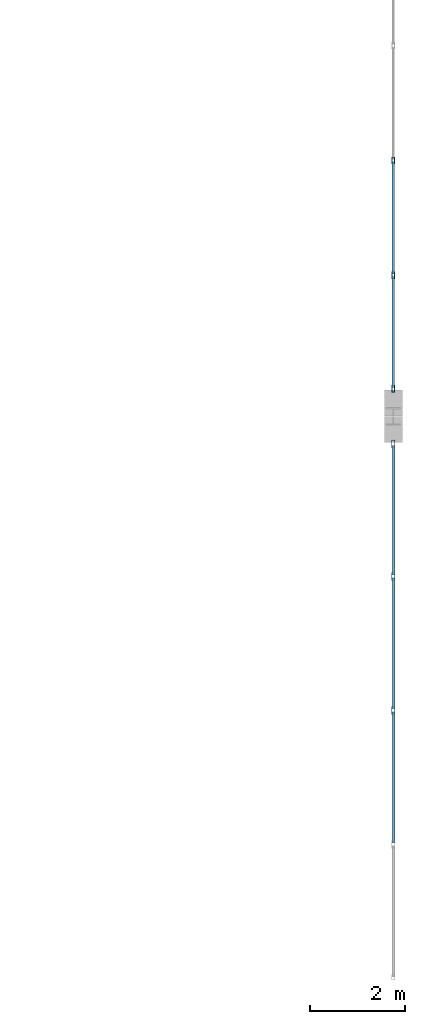
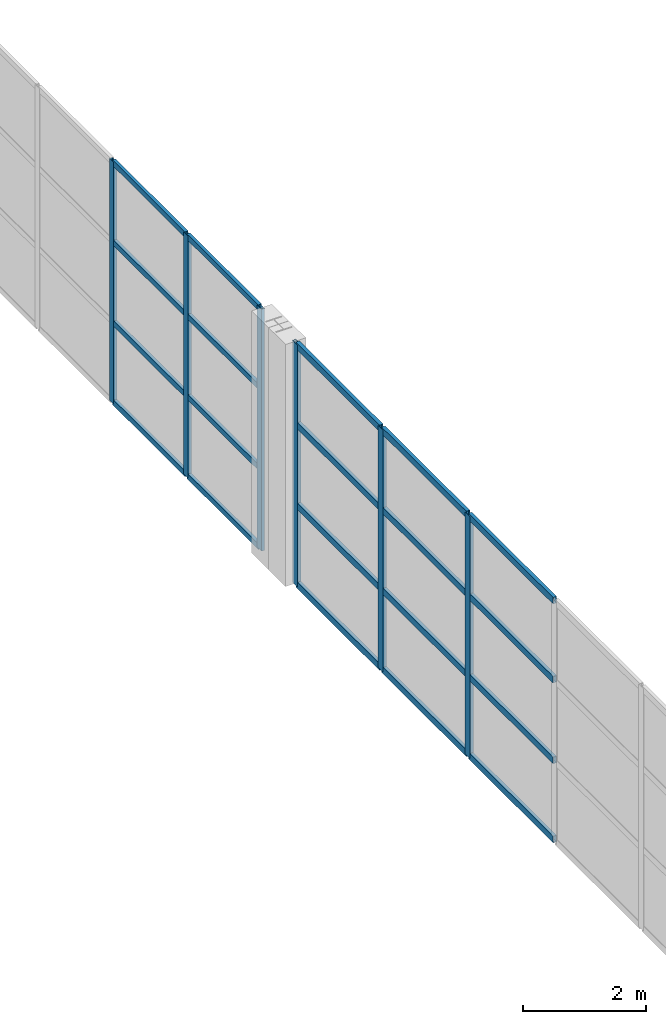
# One storey, part 84 of 147: 26 members, 2 elements without a shape of their own.
"""IFC4 building model written with IfcOpenShell, lengths in metres."""

from ifc_helpers import new_model, si_unit, direction, frame, origin, origin_2d, place, context, subcontext, project, spatial, hollow_rectangle, extrude, material, layer, layer_set, material_profile, profile_set, type_object, element, aggregate, save


model = new_model("IFC4")

# Units and contexts
model_context = context("Model", 3, precision=1e-05, world=origin(), true_north=direction((0.0, 1.0)))
body_context = subcontext(model_context, "Body", "Model", "MODEL_VIEW")
ifc_project = project(units=[si_unit("LENGTHUNIT", "METRE"), si_unit("AREAUNIT", "SQUARE_METRE"), si_unit("VOLUMEUNIT", "CUBIC_METRE"), si_unit("PLANEANGLEUNIT", "RADIAN"), si_unit("MASSUNIT", "GRAM", prefix="KILO")], contexts=[model_context])

# Site, building, storey
site_placement = place(None, origin())
site = spatial("IfcSite", under=ifc_project, at=site_placement, CompositionType="ELEMENT")
building_placement = place(site_placement, origin())
building = spatial("IfcBuilding", under=site, at=building_placement, Name="Zilviju Railside Exhibition Hall", CompositionType="ELEMENT")
storey_placement = place(building_placement, frame((0.0, 0.0, 8.39990234375)))
storey = spatial("IfcBuildingStorey", under=building, at=storey_placement, Name="L03", CompositionType="ELEMENT", Elevation=8.39990234375)

# Curtain wall, members
ifc_material_1 = material(Name="Thermally broken aluminium-steel triple-glazed curtain wall", Category="steel")
ifc_layer_1 = layer(ifc_material_1, 0.179931640625)
ifc_layer_set_1 = layer_set([ifc_layer_1], Name="Thermally broken aluminium-steel triple-glazed curtain wall")
curtain_wall_type_1 = type_object("IfcCurtainWallType", Name="CW-BAY-17", PredefinedType="USERDEFINED", material=ifc_layer_set_1)
curtain_wall_1_placement = place(storey_placement, origin())
curtain_wall_1 = element("IfcCurtainWall", 1, at=curtain_wall_1_placement, inside=storey, type_object=curtain_wall_type_1, Name="South Hall East Glazed Gable L03 (18..36)", ObjectType="GLAZED CURTAIN WALL", PredefinedType="USERDEFINED")
ifc_material_2 = material(Name="Thermally broken anodized aluminium mullion", Category="aluminium")
ifc_material_profile_1 = material_profile(ifc_material_2, hollow_rectangle(XDim=0.06005859375, YDim=0.139892578125, WallThickness=0.0048828125, at=origin_2d()), Name="MULLION 140x60x5")
ifc_profile_set_1 = profile_set([ifc_material_profile_1], Name="Thermally broken anodized aluminium mullion")
member_type_1 = type_object("IfcMemberType", Name="CWM-60x140", PredefinedType="MULLION", material=ifc_profile_set_1)
member_1_placement = place(storey_placement, frame((216.0, 23.378662109375, 0.0), z_axis=(0.0, 0.0, 1.0), x_axis=(1.0, 0.0, 0.0)))
member_1 = element("IfcMember", 2, at=member_1_placement, type_object=member_type_1, Name="CW-17 mullion 6", PredefinedType="MULLION", context=body_context, shape_type="SweptSolid", body=[
    extrude(hollow_rectangle(XDim=0.06005859375, YDim=0.139892578125, WallThickness=0.0048828125, at=origin_2d()), origin(), (0.0, 0.0, 1.0), 4.800048828125),
])
member_2_placement = place(storey_placement, frame((216.0, 20.96435546875, 0.0), z_axis=(0.0, 0.0, 1.0), x_axis=(1.0, 0.0, 0.0)))
member_2 = element("IfcMember", 3, at=member_2_placement, type_object=member_type_1, Name="CW-17 mullion 7", PredefinedType="MULLION", context=body_context, shape_type="SweptSolid", body=[
    extrude(hollow_rectangle(XDim=0.06005859375, YDim=0.139892578125, WallThickness=0.0048828125, at=origin_2d()), origin(), (0.0, 0.0, 1.0), 4.800048828125),
])
member_3_placement = place(storey_placement, frame((216.0, 18.580078125, 0.0), z_axis=(0.0, 0.0, 1.0), x_axis=(1.0, 0.0, 0.0)))
member_3 = element("IfcMember", 4, at=member_3_placement, type_object=member_type_1, Name="CW-17 mullion 8", PredefinedType="MULLION", context=body_context, shape_type="SweptSolid", body=[
    extrude(hollow_rectangle(XDim=0.06005859375, YDim=0.139892578125, WallThickness=0.0048828125, at=origin_2d()), origin(), (0.0, 0.0, 1.0), 4.800048828125),
])

ifc_layer_2 = layer(ifc_material_1, 0.179931640625)
ifc_layer_set_2 = layer_set([ifc_layer_2], Name="Thermally broken aluminium-steel triple-glazed curtain wall")
curtain_wall_type_2 = type_object("IfcCurtainWallType", Name="CW-BAY-16", PredefinedType="USERDEFINED", material=ifc_layer_set_2)
curtain_wall_2_placement = place(storey_placement, origin())
curtain_wall_2 = element("IfcCurtainWall", 5, at=curtain_wall_2_placement, inside=storey, type_object=curtain_wall_type_2, Name="South Hall East Glazed Gable L03 (0..18)", ObjectType="GLAZED CURTAIN WALL", PredefinedType="USERDEFINED")
ifc_material_profile_2 = material_profile(ifc_material_2, hollow_rectangle(XDim=0.06494140625, YDim=0.159912109375, WallThickness=0.0048828125, at=origin_2d()), Name="MULLION 160x65x5")
ifc_profile_set_2 = profile_set([ifc_material_profile_2], Name="Thermally broken anodized aluminium mullion")
member_type_2 = type_object("IfcMemberType", Name="CWM-65x160", PredefinedType="MULLION", material=ifc_profile_set_2)
member_4_placement = place(storey_placement, frame((216.0, 17.41748046875, 0.0), z_axis=(0.0, 0.0, 1.0), x_axis=(1.0, 0.0, 0.0)))
member_4 = element("IfcMember", 6, at=member_4_placement, type_object=member_type_2, Name="CW-16 mullion 1", PredefinedType="MULLION", context=body_context, shape_type="SweptSolid", body=[
    extrude(hollow_rectangle(XDim=0.06494140625, YDim=0.159912109375, WallThickness=0.0048828125, at=origin_2d()), origin(), (0.0, 0.0, 1.0), 4.800048828125),
])
member_5_placement = place(storey_placement, frame((216.0, 14.63330078125, 0.0), z_axis=(0.0, 0.0, 1.0), x_axis=(1.0, 0.0, 0.0)))
member_5 = element("IfcMember", 7, at=member_5_placement, type_object=member_type_2, Name="CW-16 mullion 2", PredefinedType="MULLION", context=body_context, shape_type="SweptSolid", body=[
    extrude(hollow_rectangle(XDim=0.06494140625, YDim=0.159912109375, WallThickness=0.0048828125, at=origin_2d()), origin(), (0.0, 0.0, 1.0), 4.800048828125),
])
member_6_placement = place(storey_placement, frame((216.0, 11.816650390625, 0.0), z_axis=(0.0, 0.0, 1.0), x_axis=(1.0, 0.0, 0.0)))
member_6 = element("IfcMember", 8, at=member_6_placement, type_object=member_type_2, Name="CW-16 mullion 3", PredefinedType="MULLION", context=body_context, shape_type="SweptSolid", body=[
    extrude(hollow_rectangle(XDim=0.06494140625, YDim=0.159912109375, WallThickness=0.0048828125, at=origin_2d()), origin(), (0.0, 0.0, 1.0), 4.800048828125),
])

# Member
ifc_material_3 = material(Name="Thermally broken anodized aluminium transom", Category="aluminium")
ifc_material_profile_3 = material_profile(ifc_material_3, hollow_rectangle(XDim=0.06005859375, YDim=0.110107421875, WallThickness=0.0048828125, at=origin_2d()), Name="TRANSOM 110x60x5")
ifc_profile_set_3 = profile_set([ifc_material_profile_3], Name="Thermally broken anodized aluminium transom")
member_type_3 = type_object("IfcMemberType", Name="CWT-60x110", PredefinedType="USERDEFINED", material=ifc_profile_set_3)
member_7_placement = place(storey_placement, frame((216.0, 23.3486328125, 0.030029296875), z_axis=(0.0, -1.0, 0.0), x_axis=(1.0, 0.0, 0.0)))
member_7 = element("IfcMember", 9, at=member_7_placement, type_object=member_type_3, Name="CW-17 transom 6.1", ObjectType="TRANSOM", PredefinedType="USERDEFINED", context=body_context, shape_type="SweptSolid", body=[
    extrude(hollow_rectangle(XDim=0.06005859375, YDim=0.110107421875, WallThickness=0.0048828125, at=origin_2d()), origin(), (0.0, 0.0, 1.0), 2.354248046875),
])

member_8_placement = place(storey_placement, frame((216.0, 23.3486328125, 1.60009765625), z_axis=(0.0, -1.0, 0.0), x_axis=(1.0, 0.0, 0.0)))
member_8 = element("IfcMember", 10, at=member_8_placement, type_object=member_type_3, Name="CW-17 transom 6.2", ObjectType="TRANSOM", PredefinedType="USERDEFINED", context=body_context, shape_type="SweptSolid", body=[
    extrude(hollow_rectangle(XDim=0.06005859375, YDim=0.110107421875, WallThickness=0.0048828125, at=origin_2d()), origin(), (0.0, 0.0, 1.0), 2.354248046875),
])

member_9_placement = place(storey_placement, frame((216.0, 23.3486328125, 3.2001953125), z_axis=(0.0, -1.0, 0.0), x_axis=(1.0, 0.0, 0.0)))
member_9 = element("IfcMember", 11, at=member_9_placement, type_object=member_type_3, Name="CW-17 transom 6.3", ObjectType="TRANSOM", PredefinedType="USERDEFINED", context=body_context, shape_type="SweptSolid", body=[
    extrude(hollow_rectangle(XDim=0.06005859375, YDim=0.110107421875, WallThickness=0.0048828125, at=origin_2d()), origin(), (0.0, 0.0, 1.0), 2.354248046875),
])

member_10_placement = place(storey_placement, frame((216.0, 23.3486328125, 4.77001953125), z_axis=(0.0, -1.0, 0.0), x_axis=(1.0, 0.0, 0.0)))
member_10 = element("IfcMember", 12, at=member_10_placement, type_object=member_type_3, Name="CW-17 transom 6.4", ObjectType="TRANSOM", PredefinedType="USERDEFINED", context=body_context, shape_type="SweptSolid", body=[
    extrude(hollow_rectangle(XDim=0.06005859375, YDim=0.110107421875, WallThickness=0.0048828125, at=origin_2d()), origin(), (0.0, 0.0, 1.0), 2.354248046875),
])

member_11_placement = place(storey_placement, frame((216.0, 20.934326171875, 0.030029296875), z_axis=(0.0, -1.0, 0.0), x_axis=(1.0, 0.0, 0.0)))
member_11 = element("IfcMember", 13, at=member_11_placement, type_object=member_type_3, Name="CW-17 transom 7.1", ObjectType="TRANSOM", PredefinedType="USERDEFINED", context=body_context, shape_type="SweptSolid", body=[
    extrude(hollow_rectangle(XDim=0.06005859375, YDim=0.110107421875, WallThickness=0.0048828125, at=origin_2d()), origin(), (0.0, 0.0, 1.0), 2.32421875),
])

member_12_placement = place(storey_placement, frame((216.0, 20.934326171875, 1.60009765625), z_axis=(0.0, -1.0, 0.0), x_axis=(1.0, 0.0, 0.0)))
member_12 = element("IfcMember", 14, at=member_12_placement, type_object=member_type_3, Name="CW-17 transom 7.2", ObjectType="TRANSOM", PredefinedType="USERDEFINED", context=body_context, shape_type="SweptSolid", body=[
    extrude(hollow_rectangle(XDim=0.06005859375, YDim=0.110107421875, WallThickness=0.0048828125, at=origin_2d()), origin(), (0.0, 0.0, 1.0), 2.32421875),
])

member_13_placement = place(storey_placement, frame((216.0, 20.934326171875, 3.2001953125), z_axis=(0.0, -1.0, 0.0), x_axis=(1.0, 0.0, 0.0)))
member_13 = element("IfcMember", 15, at=member_13_placement, type_object=member_type_3, Name="CW-17 transom 7.3", ObjectType="TRANSOM", PredefinedType="USERDEFINED", context=body_context, shape_type="SweptSolid", body=[
    extrude(hollow_rectangle(XDim=0.06005859375, YDim=0.110107421875, WallThickness=0.0048828125, at=origin_2d()), origin(), (0.0, 0.0, 1.0), 2.32421875),
])

member_14_placement = place(storey_placement, frame((216.0, 20.934326171875, 4.77001953125), z_axis=(0.0, -1.0, 0.0), x_axis=(1.0, 0.0, 0.0)))
member_14 = element("IfcMember", 16, at=member_14_placement, type_object=member_type_3, Name="CW-17 transom 7.4", ObjectType="TRANSOM", PredefinedType="USERDEFINED", context=body_context, shape_type="SweptSolid", body=[
    extrude(hollow_rectangle(XDim=0.06005859375, YDim=0.110107421875, WallThickness=0.0048828125, at=origin_2d()), origin(), (0.0, 0.0, 1.0), 2.32421875),
])

aggregate(curtain_wall_1, [member_1, member_2, member_3, member_7, member_8, member_9, member_10, member_11, member_12, member_13, member_14])

ifc_material_profile_4 = material_profile(ifc_material_3, hollow_rectangle(XDim=0.06494140625, YDim=0.1298828125, WallThickness=0.0048828125, at=origin_2d()), Name="TRANSOM 130x65x5")
ifc_profile_set_4 = profile_set([ifc_material_profile_4], Name="Thermally broken anodized aluminium transom")
member_type_4 = type_object("IfcMemberType", Name="CWT-65x130", PredefinedType="USERDEFINED", material=ifc_profile_set_4)
member_15_placement = place(storey_placement, frame((216.0, 17.385009765625, 0.03271484375), z_axis=(0.0, -1.0, 0.0), x_axis=(1.0, 0.0, 0.0)))
member_15 = element("IfcMember", 17, at=member_15_placement, type_object=member_type_4, Name="CW-16 transom 1.1", ObjectType="TRANSOM", PredefinedType="USERDEFINED", context=body_context, shape_type="SweptSolid", body=[
    extrude(hollow_rectangle(XDim=0.06494140625, YDim=0.1298828125, WallThickness=0.0048828125, at=origin_2d()), origin(), (0.0, 0.0, 1.0), 2.71923828125),
])

member_16_placement = place(storey_placement, frame((216.0, 17.385009765625, 1.60009765625), z_axis=(0.0, -1.0, 0.0), x_axis=(1.0, 0.0, 0.0)))
member_16 = element("IfcMember", 18, at=member_16_placement, type_object=member_type_4, Name="CW-16 transom 1.2", ObjectType="TRANSOM", PredefinedType="USERDEFINED", context=body_context, shape_type="SweptSolid", body=[
    extrude(hollow_rectangle(XDim=0.06494140625, YDim=0.1298828125, WallThickness=0.0048828125, at=origin_2d()), origin(), (0.0, 0.0, 1.0), 2.71923828125),
])

member_17_placement = place(storey_placement, frame((216.0, 17.385009765625, 3.2001953125), z_axis=(0.0, -1.0, 0.0), x_axis=(1.0, 0.0, 0.0)))
member_17 = element("IfcMember", 19, at=member_17_placement, type_object=member_type_4, Name="CW-16 transom 1.3", ObjectType="TRANSOM", PredefinedType="USERDEFINED", context=body_context, shape_type="SweptSolid", body=[
    extrude(hollow_rectangle(XDim=0.06494140625, YDim=0.1298828125, WallThickness=0.0048828125, at=origin_2d()), origin(), (0.0, 0.0, 1.0), 2.71923828125),
])

member_18_placement = place(storey_placement, frame((216.0, 17.385009765625, 4.767578125), z_axis=(0.0, -1.0, 0.0), x_axis=(1.0, 0.0, 0.0)))
member_18 = element("IfcMember", 20, at=member_18_placement, type_object=member_type_4, Name="CW-16 transom 1.4", ObjectType="TRANSOM", PredefinedType="USERDEFINED", context=body_context, shape_type="SweptSolid", body=[
    extrude(hollow_rectangle(XDim=0.06494140625, YDim=0.1298828125, WallThickness=0.0048828125, at=origin_2d()), origin(), (0.0, 0.0, 1.0), 2.71923828125),
])

member_19_placement = place(storey_placement, frame((216.0, 14.600830078125, 0.03271484375), z_axis=(0.0, -1.0, 0.0), x_axis=(1.0, 0.0, 0.0)))
member_19 = element("IfcMember", 21, at=member_19_placement, type_object=member_type_4, Name="CW-16 transom 2.1", ObjectType="TRANSOM", PredefinedType="USERDEFINED", context=body_context, shape_type="SweptSolid", body=[
    extrude(hollow_rectangle(XDim=0.06494140625, YDim=0.1298828125, WallThickness=0.0048828125, at=origin_2d()), origin(), (0.0, 0.0, 1.0), 2.751708984375),
])

member_20_placement = place(storey_placement, frame((216.0, 14.600830078125, 1.60009765625), z_axis=(0.0, -1.0, 0.0), x_axis=(1.0, 0.0, 0.0)))
member_20 = element("IfcMember", 22, at=member_20_placement, type_object=member_type_4, Name="CW-16 transom 2.2", ObjectType="TRANSOM", PredefinedType="USERDEFINED", context=body_context, shape_type="SweptSolid", body=[
    extrude(hollow_rectangle(XDim=0.06494140625, YDim=0.1298828125, WallThickness=0.0048828125, at=origin_2d()), origin(), (0.0, 0.0, 1.0), 2.751708984375),
])

member_21_placement = place(storey_placement, frame((216.0, 14.600830078125, 3.2001953125), z_axis=(0.0, -1.0, 0.0), x_axis=(1.0, 0.0, 0.0)))
member_21 = element("IfcMember", 23, at=member_21_placement, type_object=member_type_4, Name="CW-16 transom 2.3", ObjectType="TRANSOM", PredefinedType="USERDEFINED", context=body_context, shape_type="SweptSolid", body=[
    extrude(hollow_rectangle(XDim=0.06494140625, YDim=0.1298828125, WallThickness=0.0048828125, at=origin_2d()), origin(), (0.0, 0.0, 1.0), 2.751708984375),
])

member_22_placement = place(storey_placement, frame((216.0, 14.600830078125, 4.767578125), z_axis=(0.0, -1.0, 0.0), x_axis=(1.0, 0.0, 0.0)))
member_22 = element("IfcMember", 24, at=member_22_placement, type_object=member_type_4, Name="CW-16 transom 2.4", ObjectType="TRANSOM", PredefinedType="USERDEFINED", context=body_context, shape_type="SweptSolid", body=[
    extrude(hollow_rectangle(XDim=0.06494140625, YDim=0.1298828125, WallThickness=0.0048828125, at=origin_2d()), origin(), (0.0, 0.0, 1.0), 2.751708984375),
])

member_23_placement = place(storey_placement, frame((216.0, 11.7841796875, 0.03271484375), z_axis=(0.0, -1.0, 0.0), x_axis=(1.0, 0.0, 0.0)))
member_23 = element("IfcMember", 25, at=member_23_placement, type_object=member_type_4, Name="CW-16 transom 3.1", ObjectType="TRANSOM", PredefinedType="USERDEFINED", context=body_context, shape_type="SweptSolid", body=[
    extrude(hollow_rectangle(XDim=0.06494140625, YDim=0.1298828125, WallThickness=0.0048828125, at=origin_2d()), origin(), (0.0, 0.0, 1.0), 2.751708984375),
])

member_24_placement = place(storey_placement, frame((216.0, 11.7841796875, 1.60009765625), z_axis=(0.0, -1.0, 0.0), x_axis=(1.0, 0.0, 0.0)))
member_24 = element("IfcMember", 26, at=member_24_placement, type_object=member_type_4, Name="CW-16 transom 3.2", ObjectType="TRANSOM", PredefinedType="USERDEFINED", context=body_context, shape_type="SweptSolid", body=[
    extrude(hollow_rectangle(XDim=0.06494140625, YDim=0.1298828125, WallThickness=0.0048828125, at=origin_2d()), origin(), (0.0, 0.0, 1.0), 2.751708984375),
])

member_25_placement = place(storey_placement, frame((216.0, 11.7841796875, 3.2001953125), z_axis=(0.0, -1.0, 0.0), x_axis=(1.0, 0.0, 0.0)))
member_25 = element("IfcMember", 27, at=member_25_placement, type_object=member_type_4, Name="CW-16 transom 3.3", ObjectType="TRANSOM", PredefinedType="USERDEFINED", context=body_context, shape_type="SweptSolid", body=[
    extrude(hollow_rectangle(XDim=0.06494140625, YDim=0.1298828125, WallThickness=0.0048828125, at=origin_2d()), origin(), (0.0, 0.0, 1.0), 2.751708984375),
])

member_26_placement = place(storey_placement, frame((216.0, 11.7841796875, 4.767578125), z_axis=(0.0, -1.0, 0.0), x_axis=(1.0, 0.0, 0.0)))
member_26 = element("IfcMember", 28, at=member_26_placement, type_object=member_type_4, Name="CW-16 transom 3.4", ObjectType="TRANSOM", PredefinedType="USERDEFINED", context=body_context, shape_type="SweptSolid", body=[
    extrude(hollow_rectangle(XDim=0.06494140625, YDim=0.1298828125, WallThickness=0.0048828125, at=origin_2d()), origin(), (0.0, 0.0, 1.0), 2.751708984375),
])

aggregate(curtain_wall_2, [member_4, member_5, member_6, member_15, member_16, member_17, member_18, member_19, member_20, member_21, member_22, member_23, member_24, member_25, member_26])

save(model, "model.ifc")
